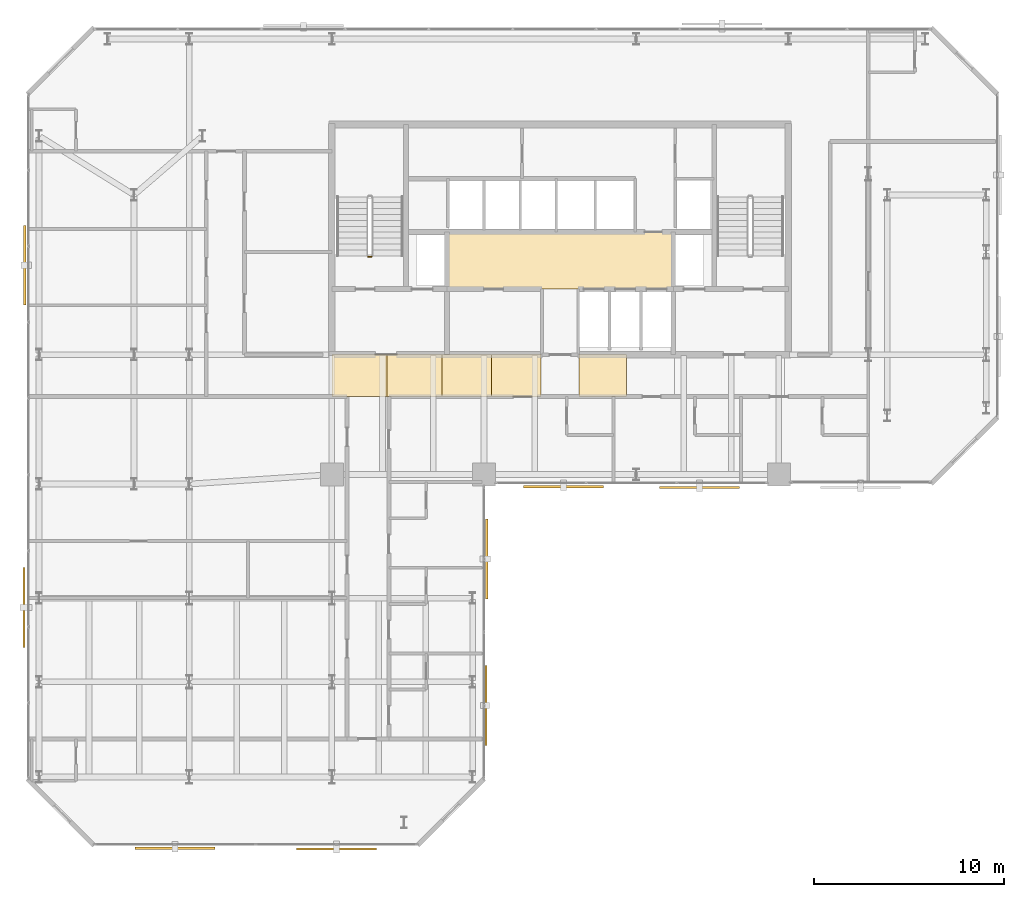
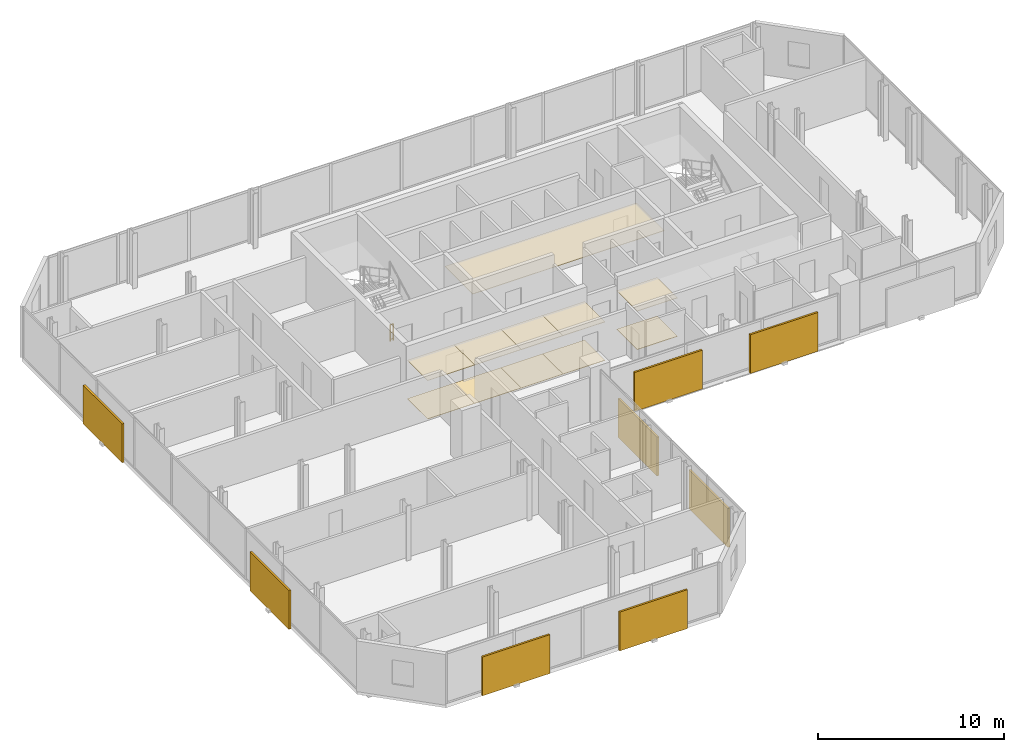
# One storey, part 31 of 32: 11 coverings, 8 shading devices, 1 railing.
"""IFC4 building model written with IfcOpenShell, lengths in metres."""

import ifcopenshell
import ifcopenshell.guid

model = None  # the IFC model being written
_history = None  # IfcOwnerHistory: only IFC2X3 demands one
_inside = {}  # id of a spatial element -> (the spatial element, [elements in it])
_under = {}  # id of a project, library or spatial element -> (it, [spatial elements below it])
_declared = {}  # id of a project -> (the project, [libraries it declares])
_typed = {}  # id of a type object -> (the type object, [elements of that type])
_made_of = {}  # id of a material, layer set ... -> (it, [elements and type objects made of it])


def new_model(schema):
    """Start an empty IFC model of exactly this schema.

    Asked for "IFC4X3", IfcOpenShell would pick the latest addendum, in which some entities
    have other attributes; the version numbers below select the first issue.
    IFC2X3 requires an IfcOwnerHistory on every rooted entity: one is made here for all.
    """
    global model, _history
    if schema == "IFC4X3":
        model = ifcopenshell.file(schema_version=(4, 3, 0, 0))
    else:
        model = ifcopenshell.file(schema=schema)
    _inside.clear()
    _under.clear()
    _declared.clear()
    _typed.clear()
    _made_of.clear()
    _history = None
    if model.schema == "IFC2X3":
        org = make("IfcOrganization", Name="unknown")
        user = make(
            "IfcPersonAndOrganization",
            ThePerson=make("IfcPerson", FamilyName="unknown"),
            TheOrganization=org,
        )
        app = make(
            "IfcApplication",
            ApplicationDeveloper=org,
            Version="unknown",
            ApplicationFullName="unknown",
            ApplicationIdentifier="unknown",
        )
        _history = make(
            "IfcOwnerHistory",
            OwningUser=user,
            OwningApplication=app,
            ChangeAction="ADDED",
            CreationDate=0,
        )
    return model


def make(cls, **values):
    """One entity of the class cls with the attributes given. An attribute that is None is left unset."""
    return model.create_entity(
        cls, **{name: value for name, value in values.items() if value is not None}
    )


def rooted(cls, **values):
    """An entity with a GlobalId (a new one), such as an element, a storey or a relation."""
    return make(cls, GlobalId=ifcopenshell.guid.new(), OwnerHistory=_history, **values)


def si_unit(unit_type, name, prefix=None):
    """IfcSIUnit, for example si_unit("LENGTHUNIT", "METRE", prefix="MILLI")."""
    return make("IfcSIUnit", UnitType=unit_type, Prefix=prefix, Name=name)


def assignment(units):
    """IfcUnitAssignment: the units of a project."""
    return None if units is None else make("IfcUnitAssignment", Units=units)


def point(xyz):
    """IfcCartesianPoint."""
    return None if xyz is None else make("IfcCartesianPoint", Coordinates=xyz)


def direction(xyz):
    """IfcDirection."""
    return None if xyz is None else make("IfcDirection", DirectionRatios=xyz)


def frame(location, z_axis=None, x_axis=None):
    """IfcAxis2Placement3D, a coordinate frame: its origin and axes. An axis left out is left unset."""
    return make(
        "IfcAxis2Placement3D",
        Location=point(location),
        Axis=direction(z_axis),
        RefDirection=direction(x_axis),
    )


def frame_2d(location, x_axis=None):
    """IfcAxis2Placement2D, a coordinate frame in the plane: its origin and x axis."""
    return make(
        "IfcAxis2Placement2D", Location=point(location), RefDirection=direction(x_axis)
    )


def origin():
    """The frame at (0, 0, 0) with its axes left unset."""
    return frame((0.0, 0.0, 0.0))


def origin_2d():
    """The frame at (0, 0) in the plane with its x axis left unset."""
    return frame_2d((0.0, 0.0))


def place(relative_to, where):
    """IfcLocalPlacement: puts the frame where relative to a parent placement (None: the world)."""
    return make(
        "IfcLocalPlacement", PlacementRelTo=relative_to, RelativePlacement=where
    )


def context(
    kind, dimensions, precision=None, world=None, true_north=None, identifier=None
):
    """IfcGeometricRepresentationContext, for example the 3D "Model" context."""
    return make(
        "IfcGeometricRepresentationContext",
        ContextIdentifier=identifier,
        ContextType=kind,
        CoordinateSpaceDimension=dimensions,
        Precision=precision,
        WorldCoordinateSystem=world,
        TrueNorth=true_north,
    )


def subcontext(parent, identifier, kind, view, scale=None):
    """IfcGeometricRepresentationSubContext, for example "Body" below "Model"."""
    return make(
        "IfcGeometricRepresentationSubContext",
        ContextIdentifier=identifier,
        ContextType=kind,
        ParentContext=parent,
        TargetScale=scale,
        TargetView=view,
    )


def project(units=None, contexts=None):
    """IfcProject with its units and contexts."""
    return rooted(
        "IfcProject",
        Name="project",
        RepresentationContexts=contexts,
        UnitsInContext=assignment(units),
    )


def spatial(cls, under=None, at=None, **own):
    """A site, building, storey or space (cls), placed at a placement, below another one or the project."""
    s = rooted(cls, ObjectPlacement=at, **own)
    if under is not None:
        _under.setdefault(under.id(), (under, []))[1].append(s)
    return s


def polyline(points):
    """IfcPolyline through the points."""
    return make("IfcPolyline", Points=[point(p) for p in points])


def profile(cls, at=None, kind="AREA", **sizes):
    """A parametric profile (cls). Its sizes go by their IFC names, for example OverallWidth=200.0."""
    return make(cls, ProfileType=kind, Position=at, **sizes)


def rectangle(**sizes):
    """IfcRectangleProfileDef."""
    return profile("IfcRectangleProfileDef", **sizes)


def circle(**sizes):
    """IfcCircleProfileDef."""
    return profile("IfcCircleProfileDef", **sizes)


def outline(outer, holes=None, kind="AREA"):
    """IfcArbitraryClosedProfileDef: a profile drawn as a closed curve; with holes, ...WithVoids."""
    if holes is None:
        return make("IfcArbitraryClosedProfileDef", ProfileType=kind, OuterCurve=outer)
    return make(
        "IfcArbitraryProfileDefWithVoids",
        ProfileType=kind,
        OuterCurve=outer,
        InnerCurves=holes,
    )


def extrude(swept, where, along, depth):
    """IfcExtrudedAreaSolid: the profile swept, set in the frame where, extruded along a direction by depth."""
    return make(
        "IfcExtrudedAreaSolid",
        SweptArea=swept,
        Position=where,
        ExtrudedDirection=direction(along),
        Depth=depth,
    )


def shape(context_of_items, identifier, shape_type, items):
    """IfcShapeRepresentation: the items that make up one representation, for example the "Body"."""
    return make(
        "IfcShapeRepresentation",
        ContextOfItems=context_of_items,
        RepresentationIdentifier=identifier,
        RepresentationType=shape_type,
        Items=items,
    )


def material(Name=None, Category=None):
    """IfcMaterial."""
    return make("IfcMaterial", Name=Name, Category=Category)


def layer(
    of_material, thickness, ventilated=None, Name=None, Category=None, Priority=None
):
    """IfcMaterialLayer: one layer of a wall or slab, of a material (None: an air gap)."""
    return make(
        "IfcMaterialLayer",
        Material=of_material,
        LayerThickness=thickness,
        IsVentilated=ventilated,
        Name=Name,
        Category=Category,
        Priority=Priority,
    )


def layer_set(layers, Name=None):
    """IfcMaterialLayerSet."""
    return make("IfcMaterialLayerSet", MaterialLayers=layers, LayerSetName=Name)


def made_of(thing, what):
    """Note that an element or type object is made of a material, layer set ...; save() writes the relation."""
    if what is not None:
        _made_of.setdefault(what.id(), (what, []))[1].append(thing)
    return thing


def type_object(cls, material=None, **own):
    """A type object (cls), such as IfcWallType, which elements share."""
    return made_of(rooted(cls, **own), material)


def element(
    cls,
    number,
    at=None,
    inside=None,
    cuts=None,
    type_object=None,
    material=None,
    context=None,
    identifier="Body",
    shape_type=None,
    held_by="IfcProductDefinitionShape",
    body=None,
    shapes=None,
    **own,
):
    """One element of the class cls, such as IfcWall. Its Tag is "e" and its number.

    at: its placement. inside: the storey or other place that contains it. cuts: it is an
    opening in that element (IfcRelVoidsElement). A single representation is given by context,
    identifier, shape_type and body (its items); several are given by shapes. held_by: the class
    of the entity that holds the representations. save() writes the other relations.
    """
    e = rooted(cls, Tag="e%d" % number, ObjectPlacement=at, **own)
    if body is not None:
        shapes = [shape(context, identifier, shape_type, body)]
    if shapes is not None:
        e.Representation = make(held_by, Representations=shapes)
    if inside is not None:
        _inside.setdefault(inside.id(), (inside, []))[1].append(e)
    if cuts is not None:
        rooted(
            "IfcRelVoidsElement", RelatingBuildingElement=cuts, RelatedOpeningElement=e
        )
    if type_object is not None:
        _typed.setdefault(type_object.id(), (type_object, []))[1].append(e)
    return made_of(e, material)


def aggregate(whole, parts):
    """IfcRelAggregates: a whole, such as a stair, and the parts it consists of."""
    return rooted("IfcRelAggregates", RelatingObject=whole, RelatedObjects=parts)


def save(model, path):
    """Write the relations noted so far, then the file.

    IfcRelAggregates (storeys below a building ...), IfcRelContainedInSpatialStructure (elements
    in a storey), IfcRelDefinesByType, IfcRelAssociatesMaterial and IfcRelDeclares: one each for
    every whole, place, type object, material and project.
    """
    for whole, parts in _under.values():
        aggregate(whole, parts)
    for where, things in _inside.values():
        rooted(
            "IfcRelContainedInSpatialStructure",
            RelatedElements=things,
            RelatingStructure=where,
        )
    for kind, things in _typed.values():
        rooted("IfcRelDefinesByType", RelatedObjects=things, RelatingType=kind)
    for what, things in _made_of.values():
        rooted("IfcRelAssociatesMaterial", RelatedObjects=things, RelatingMaterial=what)
    for by, libraries in _declared.values():
        rooted("IfcRelDeclares", RelatingContext=by, RelatedDefinitions=libraries)
    model.write(path)


model = new_model("IFC4")

# Units and contexts
model_context = context("Model", 3, precision=1e-05, world=origin(), true_north=direction((0.0, 1.0)))
body_context = subcontext(model_context, "Body", "Model", "MODEL_VIEW")
ifc_project = project(units=[si_unit("LENGTHUNIT", "METRE"), si_unit("AREAUNIT", "SQUARE_METRE"), si_unit("VOLUMEUNIT", "CUBIC_METRE"), si_unit("PLANEANGLEUNIT", "RADIAN"), si_unit("MASSUNIT", "GRAM", prefix="KILO")], contexts=[model_context])

# Site, building, storey
site_placement = place(None, origin())
site = spatial("IfcSite", under=ifc_project, at=site_placement, CompositionType="ELEMENT")
building_placement = place(site_placement, origin())
building = spatial("IfcBuilding", under=site, at=building_placement, Name="Catumbela Crestline Tower", CompositionType="ELEMENT")
storey_placement = place(building_placement, frame((0.0, 0.0, 133.2)))
storey = spatial("IfcBuildingStorey", under=building, at=storey_placement, Name="L34", CompositionType="ELEMENT", Elevation=133.2)

# Coverings
ifc_material_1 = material(Name="Mineral-fibre acoustic ceiling")
ifc_layer_1 = layer(ifc_material_1, 0.03, Name="Mineral-fibre acoustic ceiling")
ifc_layer_set_1 = layer_set([ifc_layer_1], Name="Mineral-fibre acoustic ceiling")
covering_type_1 = type_object("IfcCoveringType", Name="CC-AC", PredefinedType="CEILING", material=ifc_layer_set_1)
covering_1_placement = place(storey_placement, frame((0.0, 0.0, 2.65)))
element("IfcCovering", 1, at=covering_1_placement, inside=storey, type_object=covering_type_1, Name="L34 Lift Lobby Acoustic Ceiling", PredefinedType="CEILING", context=body_context, shape_type="SweptSolid", body=[
    extrude(outline(polyline([(22.05, 34.25), (33.95, 34.25), (33.95, 37.25), (22.05, 37.25), (22.05, 34.25)])), origin(), (0.0, 0.0, 1.0), 0.03),
])
covering_2_placement = place(storey_placement, frame((0.0, 0.0, 2.52)))
element("IfcCovering", 2, at=covering_2_placement, inside=storey, type_object=covering_type_1, Name="L34 Corridor Acoustic Ceiling Bay 1", PredefinedType="CEILING", context=body_context, shape_type="SweptSolid", body=[
    extrude(outline(polyline([(16.0, 28.6), (18.9, 28.6), (18.9, 30.8), (16.0, 30.8), (16.0, 28.6)])), origin(), (0.0, 0.0, 1.0), 0.03),
])
covering_3_placement = place(storey_placement, frame((0.0, 0.0, 2.52)))
element("IfcCovering", 3, at=covering_3_placement, inside=storey, type_object=covering_type_1, Name="L34 Corridor Acoustic Ceiling Bay 2", PredefinedType="CEILING", context=body_context, shape_type="SweptSolid", body=[
    extrude(outline(polyline([(18.9, 28.6), (21.8, 28.6), (21.8, 30.8), (18.9, 30.8), (18.9, 28.6)])), origin(), (0.0, 0.0, 1.0), 0.03),
])
covering_4_placement = place(storey_placement, frame((0.0, 0.0, 2.52)))
element("IfcCovering", 4, at=covering_4_placement, inside=storey, type_object=covering_type_1, Name="L34 Corridor Acoustic Ceiling Bay 3", PredefinedType="CEILING", context=body_context, shape_type="SweptSolid", body=[
    extrude(outline(polyline([(21.8, 28.6), (24.4, 28.6), (24.4, 30.8), (21.8, 30.8), (21.8, 28.6)])), origin(), (0.0, 0.0, 1.0), 0.03),
])
covering_5_placement = place(storey_placement, frame((0.0, 0.0, 2.52)))
element("IfcCovering", 5, at=covering_5_placement, inside=storey, type_object=covering_type_1, Name="L34 Corridor Acoustic Ceiling Bay 4", PredefinedType="CEILING", context=body_context, shape_type="SweptSolid", body=[
    extrude(outline(polyline([(24.4, 28.6), (27.0, 28.6), (27.0, 30.8), (24.4, 30.8), (24.4, 28.6)])), origin(), (0.0, 0.0, 1.0), 0.03),
])
covering_6_placement = place(storey_placement, frame((0.0, 0.0, 2.52)))
element("IfcCovering", 6, at=covering_6_placement, inside=storey, type_object=covering_type_1, Name="L34 Corridor Acoustic Ceiling Bay 5", PredefinedType="CEILING", context=body_context, shape_type="SweptSolid", body=[
    extrude(outline(polyline([(29.0, 28.6), (31.5, 28.6), (31.5, 30.8), (29.0, 30.8), (29.0, 28.6)])), origin(), (0.0, 0.0, 1.0), 0.03),
])
ifc_material_2 = material(Name="Angolan grey-ochre granite", Category="masonry")
ifc_layer_2 = layer(ifc_material_2, 0.025, Name="Angolan grey-ochre granite")
ifc_layer_set_2 = layer_set([ifc_layer_2], Name="Angolan grey-ochre granite")
covering_type_2 = type_object("IfcCoveringType", Name="CF-GR", PredefinedType="FLOORING", material=ifc_layer_set_2)
covering_7_placement = place(storey_placement, origin())
element("IfcCovering", 7, at=covering_7_placement, inside=storey, type_object=covering_type_2, Name="L34 Corridor Granite Flooring Bay 1", PredefinedType="FLOORING", context=body_context, shape_type="SweptSolid", body=[
    extrude(outline(polyline([(16.0, 28.6), (18.9, 28.6), (18.9, 30.8), (16.0, 30.8), (16.0, 28.6)])), origin(), (0.0, 0.0, 1.0), 0.025),
])
covering_8_placement = place(storey_placement, origin())
element("IfcCovering", 8, at=covering_8_placement, inside=storey, type_object=covering_type_2, Name="L34 Corridor Granite Flooring Bay 2", PredefinedType="FLOORING", context=body_context, shape_type="SweptSolid", body=[
    extrude(outline(polyline([(18.9, 28.6), (21.8, 28.6), (21.8, 30.8), (18.9, 30.8), (18.9, 28.6)])), origin(), (0.0, 0.0, 1.0), 0.025),
])
covering_9_placement = place(storey_placement, origin())
element("IfcCovering", 9, at=covering_9_placement, inside=storey, type_object=covering_type_2, Name="L34 Corridor Granite Flooring Bay 3", PredefinedType="FLOORING", context=body_context, shape_type="SweptSolid", body=[
    extrude(outline(polyline([(21.8, 28.6), (24.4, 28.6), (24.4, 30.8), (21.8, 30.8), (21.8, 28.6)])), origin(), (0.0, 0.0, 1.0), 0.025),
])
covering_10_placement = place(storey_placement, origin())
element("IfcCovering", 10, at=covering_10_placement, inside=storey, type_object=covering_type_2, Name="L34 Corridor Granite Flooring Bay 4", PredefinedType="FLOORING", context=body_context, shape_type="SweptSolid", body=[
    extrude(outline(polyline([(24.4, 28.6), (27.0, 28.6), (27.0, 30.8), (24.4, 30.8), (24.4, 28.6)])), origin(), (0.0, 0.0, 1.0), 0.025),
])
covering_11_placement = place(storey_placement, origin())
element("IfcCovering", 11, at=covering_11_placement, inside=storey, type_object=covering_type_2, Name="L34 Corridor Granite Flooring Bay 5", PredefinedType="FLOORING", context=body_context, shape_type="SweptSolid", body=[
    extrude(outline(polyline([(29.0, 28.6), (31.5, 28.6), (31.5, 30.8), (29.0, 30.8), (29.0, 28.6)])), origin(), (0.0, 0.0, 1.0), 0.025),
])

# Railing
ifc_material_3 = material(Name="Stainless steel EN 1.4401", Category="steel")
railing_type = type_object("IfcRailingType", Name="RG-1100", PredefinedType="GUARDRAIL", material=ifc_material_3)
railing_placement = place(storey_placement, frame((18.09, 35.95, 0.0)))
element("IfcRailing", 12, at=railing_placement, inside=storey, type_object=railing_type, Name="L34 ST-01 stair guard 4", PredefinedType="GUARDRAIL", context=body_context, shape_type="SweptSolid", body=[
    extrude(circle(Radius=0.024, at=origin_2d()), frame((0.0, 0.0, 1.076), z_axis=(-1.0, 0.0, 0.0), x_axis=(0.0, -1.0, 0.0)), (0.0, 0.0, 1.0), 0.18),
    extrude(circle(Radius=0.0156, at=origin_2d()), frame((0.0, 0.0, 0.55), z_axis=(-1.0, 0.0, 0.0), x_axis=(0.0, -1.0, 0.0)), (0.0, 0.0, 1.0), 0.18),
    extrude(circle(Radius=0.0156, at=origin_2d()), frame((0.0, 0.0, 0.12), z_axis=(-1.0, 0.0, 0.0), x_axis=(0.0, -1.0, 0.0)), (0.0, 0.0, 1.0), 0.18),
    extrude(circle(Radius=0.021, at=origin_2d()), origin(), (0.0, 0.0, 1.0), 1.052),
    extrude(circle(Radius=0.021, at=origin_2d()), frame((-0.18, 0.0, 0.0)), (0.0, 0.0, 1.0), 1.052),
])

# Shading devices
ifc_material_4 = material(Name="Extruded terracotta ceramic", Category="masonry")
shading_device_type_1 = type_object("IfcShadingDeviceType", Name="ST-180", PredefinedType="USERDEFINED", material=ifc_material_4)
shading_device_placement = place(storey_placement, frame((24.099, 12.35, -0.1), z_axis=(0.0, 0.0, 1.0), x_axis=(0.0, 1.0, 0.0)))
element("IfcShadingDevice", 13, at=shading_device_placement, inside=storey, type_object=shading_device_type_1, Name="L34 Perforated Terracotta Solar Screen 369 (180 mm)", ObjectType="SCREEN", PredefinedType="USERDEFINED", context=body_context, shape_type="SweptSolid", body=[
    extrude(rectangle(XDim=4.2, YDim=0.12, at=origin_2d()), origin(), (0.0, 0.0, 1.0), 2.55),
])
shading_device_type_2 = type_object("IfcShadingDeviceType", Name="ST-260", PredefinedType="USERDEFINED", material=ifc_material_4)
for number, where, z_axis, x_axis, name in (
    (14, (7.75, 4.857, -0.1), (0.0, 0.0, 1.0), (1.0, 0.0, 0.0), "L34 Perforated Terracotta Solar Screen 367 (260 mm)"),
    (15, (24.143, 20.05, -0.1), (0.0, 0.0, 1.0), (0.0, 1.0, 0.0), "L34 Perforated Terracotta Solar Screen 370 (260 mm)"),
    (16, (28.175, 23.857, -0.1), (0.0, 0.0, 1.0), (1.0, 0.0, 0.0), "L34 Perforated Terracotta Solar Screen 371 (260 mm)"),
    (17, (-0.143, 35.5, -0.1), (0.0, 0.0, 1.0), (0.0, -1.0, 0.0), "L34 Perforated Terracotta Solar Screen 378 (260 mm)"),
):
    element("IfcShadingDevice", number, at=place(storey_placement, frame(where, z_axis=z_axis, x_axis=x_axis)), inside=storey, type_object=shading_device_type_2, Name=name, ObjectType="SCREEN", PredefinedType="USERDEFINED", context=body_context, shape_type="SweptSolid", body=[
        extrude(rectangle(XDim=4.2, YDim=0.12, at=origin_2d()), origin(), (0.0, 0.0, 1.0), 2.55),
    ])
shading_device_type_3 = type_object("IfcShadingDeviceType", Name="ST-340", PredefinedType="USERDEFINED", material=ifc_material_4)
for number, where, z_axis, x_axis, name in (
    (18, (16.25, 4.813, -0.1), (0.0, 0.0, 1.0), (1.0, 0.0, 0.0), "L34 Perforated Terracotta Solar Screen 368 (340 mm)"),
    (19, (35.325, 23.813, -0.1), (0.0, 0.0, 1.0), (1.0, 0.0, 0.0), "L34 Perforated Terracotta Solar Screen 372 (340 mm)"),
    (20, (-0.187, 17.5, -0.1), (0.0, 0.0, 1.0), (0.0, -1.0, 0.0), "L34 Perforated Terracotta Solar Screen 379 (340 mm)"),
):
    element("IfcShadingDevice", number, at=place(storey_placement, frame(where, z_axis=z_axis, x_axis=x_axis)), inside=storey, type_object=shading_device_type_3, Name=name, ObjectType="SCREEN", PredefinedType="USERDEFINED", context=body_context, shape_type="SweptSolid", body=[
        extrude(rectangle(XDim=4.2, YDim=0.12, at=origin_2d()), origin(), (0.0, 0.0, 1.0), 2.55),
    ])

save(model, "model.ifc")
